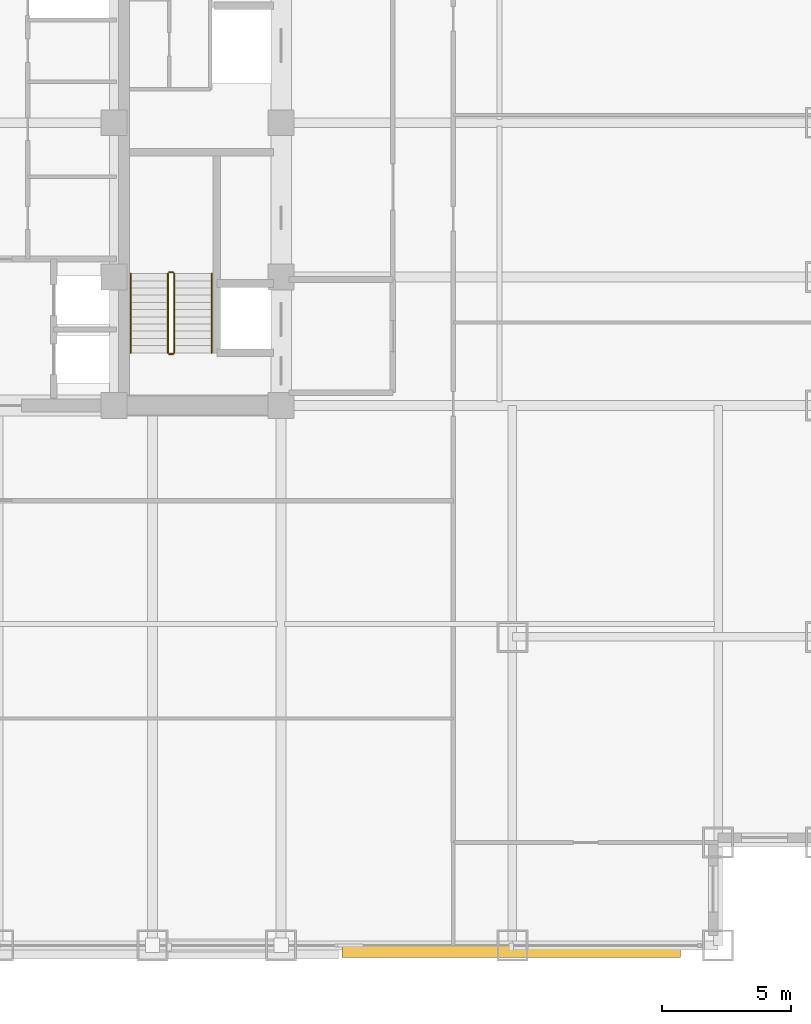
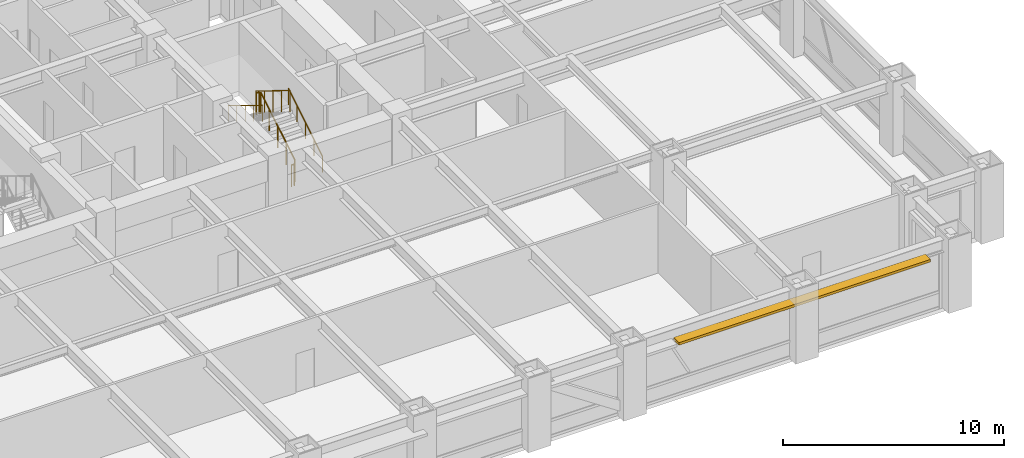
# One storey, part 30 of 32: 6 railings, 1 shading device.
"""IFC4 building model written with IfcOpenShell, lengths in metres."""

from ifc_helpers import new_model, si_unit, direction, frame, origin, origin_2d, place, context, subcontext, project, spatial, rectangle, circle, extrude, source, transform, mapped, material, layer, layer_set, type_object, element, save


model = new_model("IFC4")

# Units and contexts
model_context = context("Model", 3, precision=1e-05, world=origin(), true_north=direction((0.0, 1.0)))
body_context = subcontext(model_context, "Body", "Model", "MODEL_VIEW")
ifc_project = project(units=[si_unit("LENGTHUNIT", "METRE"), si_unit("AREAUNIT", "SQUARE_METRE"), si_unit("VOLUMEUNIT", "CUBIC_METRE"), si_unit("PLANEANGLEUNIT", "RADIAN"), si_unit("MASSUNIT", "GRAM", prefix="KILO")], contexts=[model_context])

# Site, building, storey
site_placement = place(None, origin())
site = spatial("IfcSite", under=ifc_project, at=site_placement, CompositionType="ELEMENT")
building_placement = place(site_placement, origin())
building = spatial("IfcBuilding", under=site, at=building_placement, Name="Khorayat Bourse Tower", CompositionType="ELEMENT")
storey_placement = place(building_placement, frame((0.0, 0.0, 99.60009765625)))
storey = spatial("IfcBuildingStorey", under=building, at=storey_placement, Name="L22", CompositionType="ELEMENT", Elevation=99.60009765625)

# Shading device
ifc_material_1 = material(Name="Precast concrete C45/55", Category="concrete")
ifc_layer = layer(ifc_material_1, 0.139892578125)
ifc_layer_set = layer_set([ifc_layer], Name="Precast concrete C45/55")
shading_device_type = type_object("IfcShadingDeviceType", Name="SHD-WAVE-TRAY-B", PredefinedType="USERDEFINED", material=ifc_layer_set)
shared_shape_1 = source(origin(), body_context, "Body", "SweptSolid", [
    extrude(rectangle(XDim=13.159912109375, YDim=0.48974609375, at=origin_2d()), origin(), (0.0, 0.0, 1.0), 0.139892578125),
])
shading_device_placement = place(storey_placement, frame((19.949951171875, -32.224853515625, 3.08984375), z_axis=(0.0, 0.0, 1.0), x_axis=(1.0, 0.0, 0.0)))
element("IfcShadingDevice", 1, at=shading_device_placement, inside=storey, type_object=shading_device_type, Name="L22 Sinusoidal Wave Sunshade Tray S-4", ObjectType="SUNSHADE", PredefinedType="USERDEFINED", context=body_context, shape_type="MappedRepresentation", body=[
    mapped(shared_shape_1, transform((0.0, 0.0, 0.0), scale=1.0)),
])

# Railings
ifc_material_2 = material(Name="Powder-coated steel balustrade", Category="steel")
railing_type_1 = type_object("IfcRailingType", Name="RLG-GUARD-1200", PredefinedType="GUARDRAIL", material=ifc_material_2)
shared_shape_2 = source(origin(), body_context, "Body", "SweptSolid", [
    extrude(circle(Radius=0.02392578125, at=origin_2d()), frame((0.0, 0.0, 1.17578125), z_axis=(-1.0, 0.0, 0.0), x_axis=(0.0, -1.0, 0.0)), (0.0, 0.0, 1.0), 0.150146484375),
    extrude(circle(Radius=0.02099609375, at=origin_2d()), origin(), (0.0, 0.0, 1.0), 1.15185546875),
    extrude(circle(Radius=0.02099609375, at=origin_2d()), frame((-0.150146484375, 0.0, 0.0)), (0.0, 0.0, 1.0), 1.15185546875),
])
for number, where, name in (
    (2, (6.800048828125, -5.820068359375, 2.0498046875), "L22 ST-3 stair guard 2"),
    (3, (6.800048828125, -9.0, 0.0), "L22 ST-3 stair guard 4"),
):
    element("IfcRailing", number, at=place(storey_placement, frame(where)), inside=storey, type_object=railing_type_1, Name=name, PredefinedType="GUARDRAIL", context=body_context, shape_type="MappedRepresentation", body=[
        mapped(shared_shape_2, transform((0.0, 0.0, 0.0), scale=1.0)),
    ])
shared_shape_3 = source(origin(), body_context, "Body", "SweptSolid", [
    extrude(circle(Radius=0.02392578125, at=origin_2d()), frame((0.0, 0.0, 1.17578125), z_axis=(0.0, 0.853647949592, 0.520850437417), x_axis=(-1.0, 0.0, 0.0)), (0.0, 0.0, 1.0), 3.60791015625),
    extrude(circle(Radius=0.02099609375, at=origin_2d()), origin(), (0.0, 0.0, 1.0), 1.15185546875),
    extrude(circle(Radius=0.02099609375, at=origin_2d()), frame((0.0, 0.77001953125, 0.4697265625)), (0.0, 0.0, 1.0), 1.15185546875),
    extrude(circle(Radius=0.02099609375, at=origin_2d()), frame((0.0, 1.5400390625, 0.939453125)), (0.0, 0.0, 1.0), 1.15185546875),
    extrude(circle(Radius=0.02099609375, at=origin_2d()), frame((0.0, 2.309814453125, 1.409423828125)), (0.0, 0.0, 1.0), 1.15185546875),
    extrude(circle(Radius=0.02099609375, at=origin_2d()), frame((0.0, 3.079833984375, 1.879150390625)), (0.0, 0.0, 1.0), 1.15185546875),
])
railing_1_placement = place(storey_placement, frame((6.85009765625, -8.949951171875, 0.170654296875)))
element("IfcRailing", 4, at=railing_1_placement, inside=storey, type_object=railing_type_1, Name="L22 ST-3 stair guard 1", PredefinedType="GUARDRAIL", context=body_context, shape_type="MappedRepresentation", body=[
    mapped(shared_shape_3, transform((0.0, 0.0, 0.0), scale=1.0)),
])
shared_shape_4 = source(origin(), body_context, "Body", "SweptSolid", [
    extrude(circle(Radius=0.02392578125, at=origin_2d()), frame((0.0, 0.0, 1.17578125), z_axis=(0.0, -0.853647949592, 0.520850437417), x_axis=(1.0, 0.0, 0.0)), (0.0, 0.0, 1.0), 3.60791015625),
    extrude(circle(Radius=0.02099609375, at=origin_2d()), origin(), (0.0, 0.0, 1.0), 1.15185546875),
    extrude(circle(Radius=0.02099609375, at=origin_2d()), frame((0.0, -0.77001953125, 0.4697265625)), (0.0, 0.0, 1.0), 1.15185546875),
    extrude(circle(Radius=0.02099609375, at=origin_2d()), frame((0.0, -1.5400390625, 0.939453125)), (0.0, 0.0, 1.0), 1.15185546875),
    extrude(circle(Radius=0.02099609375, at=origin_2d()), frame((0.0, -2.309814453125, 1.409423828125)), (0.0, 0.0, 1.0), 1.15185546875),
    extrude(circle(Radius=0.02099609375, at=origin_2d()), frame((0.0, -3.079833984375, 1.879150390625)), (0.0, 0.0, 1.0), 1.15185546875),
])
railing_2_placement = place(storey_placement, frame((6.60009765625, -5.8701171875, 2.220703125)))
element("IfcRailing", 5, at=railing_2_placement, inside=storey, type_object=railing_type_1, Name="L22 ST-3 stair guard 3", PredefinedType="GUARDRAIL", context=body_context, shape_type="MappedRepresentation", body=[
    mapped(shared_shape_4, transform((0.0, 0.0, 0.0), scale=1.0)),
])
ifc_material_3 = material(Name="Brushed bronze stainless-steel handrail", Category="steel")
railing_type_2 = type_object("IfcRailingType", Name="RLG-HAND-900", PredefinedType="HANDRAIL", material=ifc_material_3)
shared_shape_5 = source(origin(), body_context, "Body", "SweptSolid", [
    extrude(circle(Radius=0.02392578125, at=origin_2d()), frame((0.0, 0.0, 0.8759765625), z_axis=(0.0, 0.853647949592, 0.520850437417), x_axis=(-1.0, 0.0, 0.0)), (0.0, 0.0, 1.0), 3.60791015625),
    extrude(circle(Radius=0.02099609375, at=origin_2d()), origin(), (0.0, 0.0, 1.0), 0.851806640625),
    extrude(circle(Radius=0.02099609375, at=origin_2d()), frame((0.0, 0.77001953125, 0.4697265625)), (0.0, 0.0, 1.0), 0.851806640625),
    extrude(circle(Radius=0.02099609375, at=origin_2d()), frame((0.0, 1.5400390625, 0.939453125)), (0.0, 0.0, 1.0), 0.851806640625),
    extrude(circle(Radius=0.02099609375, at=origin_2d()), frame((0.0, 2.309814453125, 1.409423828125)), (0.0, 0.0, 1.0), 0.851806640625),
    extrude(circle(Radius=0.02099609375, at=origin_2d()), frame((0.0, 3.079833984375, 1.879150390625)), (0.0, 0.0, 1.0), 0.851806640625),
])
railing_3_placement = place(storey_placement, frame((8.300048828125, -8.949951171875, 0.170654296875)))
element("IfcRailing", 6, at=railing_3_placement, inside=storey, type_object=railing_type_2, Name="L22 ST-3 stair handrail 1", PredefinedType="HANDRAIL", context=body_context, shape_type="MappedRepresentation", body=[
    mapped(shared_shape_5, transform((0.0, 0.0, 0.0), scale=1.0)),
])
shared_shape_6 = source(origin(), body_context, "Body", "SweptSolid", [
    extrude(circle(Radius=0.02392578125, at=origin_2d()), frame((0.0, 0.0, 0.8759765625), z_axis=(0.0, -0.853647949592, 0.520850437417), x_axis=(1.0, 0.0, 0.0)), (0.0, 0.0, 1.0), 3.60791015625),
    extrude(circle(Radius=0.02099609375, at=origin_2d()), origin(), (0.0, 0.0, 1.0), 0.851806640625),
    extrude(circle(Radius=0.02099609375, at=origin_2d()), frame((0.0, -0.77001953125, 0.4697265625)), (0.0, 0.0, 1.0), 0.851806640625),
    extrude(circle(Radius=0.02099609375, at=origin_2d()), frame((0.0, -1.5400390625, 0.939453125)), (0.0, 0.0, 1.0), 0.851806640625),
    extrude(circle(Radius=0.02099609375, at=origin_2d()), frame((0.0, -2.309814453125, 1.409423828125)), (0.0, 0.0, 1.0), 0.851806640625),
    extrude(circle(Radius=0.02099609375, at=origin_2d()), frame((0.0, -3.079833984375, 1.879150390625)), (0.0, 0.0, 1.0), 0.851806640625),
])
railing_4_placement = place(storey_placement, frame((5.14990234375, -5.8701171875, 2.220703125)))
element("IfcRailing", 7, at=railing_4_placement, inside=storey, type_object=railing_type_2, Name="L22 ST-3 stair handrail 2", PredefinedType="HANDRAIL", context=body_context, shape_type="MappedRepresentation", body=[
    mapped(shared_shape_6, transform((0.0, 0.0, 0.0), scale=1.0)),
])

save(model, "model.ifc")
